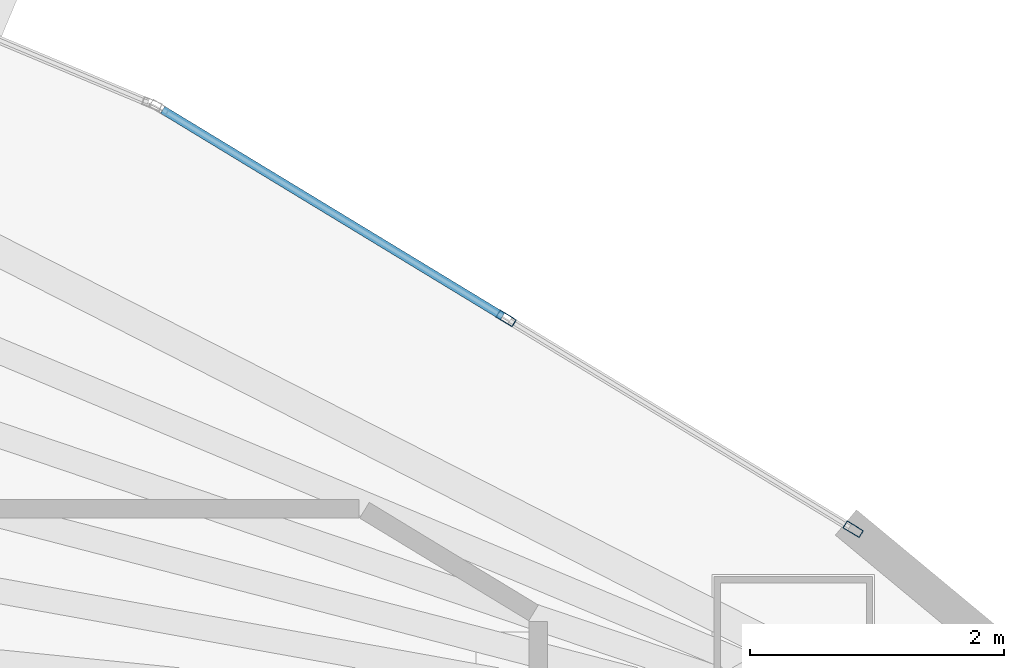
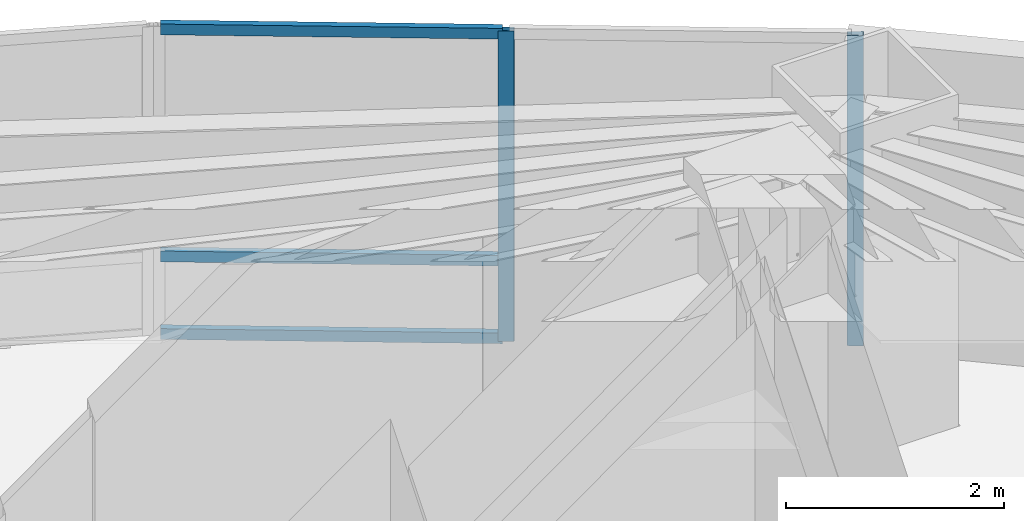
# One storey, part 13 of 19: 5 members, 1 element without a shape of its own.
"""IFC4 building model written with IfcOpenShell, lengths in metres."""

import ifcopenshell
import ifcopenshell.guid

model = None  # the IFC model being written
_history = None  # IfcOwnerHistory: only IFC2X3 demands one
_inside = {}  # id of a spatial element -> (the spatial element, [elements in it])
_under = {}  # id of a project, library or spatial element -> (it, [spatial elements below it])
_declared = {}  # id of a project -> (the project, [libraries it declares])
_typed = {}  # id of a type object -> (the type object, [elements of that type])
_made_of = {}  # id of a material, layer set ... -> (it, [elements and type objects made of it])


def new_model(schema):
    """Start an empty IFC model of exactly this schema.

    Asked for "IFC4X3", IfcOpenShell would pick the latest addendum, in which some entities
    have other attributes; the version numbers below select the first issue.
    IFC2X3 requires an IfcOwnerHistory on every rooted entity: one is made here for all.
    """
    global model, _history
    if schema == "IFC4X3":
        model = ifcopenshell.file(schema_version=(4, 3, 0, 0))
    else:
        model = ifcopenshell.file(schema=schema)
    _inside.clear()
    _under.clear()
    _declared.clear()
    _typed.clear()
    _made_of.clear()
    _history = None
    if model.schema == "IFC2X3":
        org = make("IfcOrganization", Name="unknown")
        user = make(
            "IfcPersonAndOrganization",
            ThePerson=make("IfcPerson", FamilyName="unknown"),
            TheOrganization=org,
        )
        app = make(
            "IfcApplication",
            ApplicationDeveloper=org,
            Version="unknown",
            ApplicationFullName="unknown",
            ApplicationIdentifier="unknown",
        )
        _history = make(
            "IfcOwnerHistory",
            OwningUser=user,
            OwningApplication=app,
            ChangeAction="ADDED",
            CreationDate=0,
        )
    return model


def make(cls, **values):
    """One entity of the class cls with the attributes given. An attribute that is None is left unset."""
    return model.create_entity(
        cls, **{name: value for name, value in values.items() if value is not None}
    )


def rooted(cls, **values):
    """An entity with a GlobalId (a new one), such as an element, a storey or a relation."""
    return make(cls, GlobalId=ifcopenshell.guid.new(), OwnerHistory=_history, **values)


def si_unit(unit_type, name, prefix=None):
    """IfcSIUnit, for example si_unit("LENGTHUNIT", "METRE", prefix="MILLI")."""
    return make("IfcSIUnit", UnitType=unit_type, Prefix=prefix, Name=name)


def assignment(units):
    """IfcUnitAssignment: the units of a project."""
    return None if units is None else make("IfcUnitAssignment", Units=units)


def point(xyz):
    """IfcCartesianPoint."""
    return None if xyz is None else make("IfcCartesianPoint", Coordinates=xyz)


def direction(xyz):
    """IfcDirection."""
    return None if xyz is None else make("IfcDirection", DirectionRatios=xyz)


def frame(location, z_axis=None, x_axis=None):
    """IfcAxis2Placement3D, a coordinate frame: its origin and axes. An axis left out is left unset."""
    return make(
        "IfcAxis2Placement3D",
        Location=point(location),
        Axis=direction(z_axis),
        RefDirection=direction(x_axis),
    )


def frame_2d(location, x_axis=None):
    """IfcAxis2Placement2D, a coordinate frame in the plane: its origin and x axis."""
    return make(
        "IfcAxis2Placement2D", Location=point(location), RefDirection=direction(x_axis)
    )


def origin():
    """The frame at (0, 0, 0) with its axes left unset."""
    return frame((0.0, 0.0, 0.0))


def origin_2d():
    """The frame at (0, 0) in the plane with its x axis left unset."""
    return frame_2d((0.0, 0.0))


def place(relative_to, where):
    """IfcLocalPlacement: puts the frame where relative to a parent placement (None: the world)."""
    return make(
        "IfcLocalPlacement", PlacementRelTo=relative_to, RelativePlacement=where
    )


def context(
    kind, dimensions, precision=None, world=None, true_north=None, identifier=None
):
    """IfcGeometricRepresentationContext, for example the 3D "Model" context."""
    return make(
        "IfcGeometricRepresentationContext",
        ContextIdentifier=identifier,
        ContextType=kind,
        CoordinateSpaceDimension=dimensions,
        Precision=precision,
        WorldCoordinateSystem=world,
        TrueNorth=true_north,
    )


def subcontext(parent, identifier, kind, view, scale=None):
    """IfcGeometricRepresentationSubContext, for example "Body" below "Model"."""
    return make(
        "IfcGeometricRepresentationSubContext",
        ContextIdentifier=identifier,
        ContextType=kind,
        ParentContext=parent,
        TargetScale=scale,
        TargetView=view,
    )


def project(units=None, contexts=None):
    """IfcProject with its units and contexts."""
    return rooted(
        "IfcProject",
        Name="project",
        RepresentationContexts=contexts,
        UnitsInContext=assignment(units),
    )


def spatial(cls, under=None, at=None, **own):
    """A site, building, storey or space (cls), placed at a placement, below another one or the project."""
    s = rooted(cls, ObjectPlacement=at, **own)
    if under is not None:
        _under.setdefault(under.id(), (under, []))[1].append(s)
    return s


def profile(cls, at=None, kind="AREA", **sizes):
    """A parametric profile (cls). Its sizes go by their IFC names, for example OverallWidth=200.0."""
    return make(cls, ProfileType=kind, Position=at, **sizes)


def hollow_rectangle(**sizes):
    """IfcRectangleHollowProfileDef."""
    return profile("IfcRectangleHollowProfileDef", **sizes)


def extrude(swept, where, along, depth):
    """IfcExtrudedAreaSolid: the profile swept, set in the frame where, extruded along a direction by depth."""
    return make(
        "IfcExtrudedAreaSolid",
        SweptArea=swept,
        Position=where,
        ExtrudedDirection=direction(along),
        Depth=depth,
    )


def shape(context_of_items, identifier, shape_type, items):
    """IfcShapeRepresentation: the items that make up one representation, for example the "Body"."""
    return make(
        "IfcShapeRepresentation",
        ContextOfItems=context_of_items,
        RepresentationIdentifier=identifier,
        RepresentationType=shape_type,
        Items=items,
    )


def material(Name=None, Category=None):
    """IfcMaterial."""
    return make("IfcMaterial", Name=Name, Category=Category)


def layer(
    of_material, thickness, ventilated=None, Name=None, Category=None, Priority=None
):
    """IfcMaterialLayer: one layer of a wall or slab, of a material (None: an air gap)."""
    return make(
        "IfcMaterialLayer",
        Material=of_material,
        LayerThickness=thickness,
        IsVentilated=ventilated,
        Name=Name,
        Category=Category,
        Priority=Priority,
    )


def layer_set(layers, Name=None):
    """IfcMaterialLayerSet."""
    return make("IfcMaterialLayerSet", MaterialLayers=layers, LayerSetName=Name)


def material_profile(
    of_material, cross_section, Name=None, Category=None, Priority=None
):
    """IfcMaterialProfile: a cross section and its material."""
    return make(
        "IfcMaterialProfile",
        Name=Name,
        Material=of_material,
        Profile=cross_section,
        Priority=Priority,
        Category=Category,
    )


def profile_set(profiles, Name=None, composite=None):
    """IfcMaterialProfileSet."""
    return make(
        "IfcMaterialProfileSet",
        Name=Name,
        MaterialProfiles=profiles,
        CompositeProfile=composite,
    )


def made_of(thing, what):
    """Note that an element or type object is made of a material, layer set ...; save() writes the relation."""
    if what is not None:
        _made_of.setdefault(what.id(), (what, []))[1].append(thing)
    return thing


def type_object(cls, material=None, **own):
    """A type object (cls), such as IfcWallType, which elements share."""
    return made_of(rooted(cls, **own), material)


def element(
    cls,
    number,
    at=None,
    inside=None,
    cuts=None,
    type_object=None,
    material=None,
    context=None,
    identifier="Body",
    shape_type=None,
    held_by="IfcProductDefinitionShape",
    body=None,
    shapes=None,
    **own,
):
    """One element of the class cls, such as IfcWall. Its Tag is "e" and its number.

    at: its placement. inside: the storey or other place that contains it. cuts: it is an
    opening in that element (IfcRelVoidsElement). A single representation is given by context,
    identifier, shape_type and body (its items); several are given by shapes. held_by: the class
    of the entity that holds the representations. save() writes the other relations.
    """
    e = rooted(cls, Tag="e%d" % number, ObjectPlacement=at, **own)
    if body is not None:
        shapes = [shape(context, identifier, shape_type, body)]
    if shapes is not None:
        e.Representation = make(held_by, Representations=shapes)
    if inside is not None:
        _inside.setdefault(inside.id(), (inside, []))[1].append(e)
    if cuts is not None:
        rooted(
            "IfcRelVoidsElement", RelatingBuildingElement=cuts, RelatedOpeningElement=e
        )
    if type_object is not None:
        _typed.setdefault(type_object.id(), (type_object, []))[1].append(e)
    return made_of(e, material)


def aggregate(whole, parts):
    """IfcRelAggregates: a whole, such as a stair, and the parts it consists of."""
    return rooted("IfcRelAggregates", RelatingObject=whole, RelatedObjects=parts)


def save(model, path):
    """Write the relations noted so far, then the file.

    IfcRelAggregates (storeys below a building ...), IfcRelContainedInSpatialStructure (elements
    in a storey), IfcRelDefinesByType, IfcRelAssociatesMaterial and IfcRelDeclares: one each for
    every whole, place, type object, material and project.
    """
    for whole, parts in _under.values():
        aggregate(whole, parts)
    for where, things in _inside.values():
        rooted(
            "IfcRelContainedInSpatialStructure",
            RelatedElements=things,
            RelatingStructure=where,
        )
    for kind, things in _typed.values():
        rooted("IfcRelDefinesByType", RelatedObjects=things, RelatingType=kind)
    for what, things in _made_of.values():
        rooted("IfcRelAssociatesMaterial", RelatedObjects=things, RelatingMaterial=what)
    for by, libraries in _declared.values():
        rooted("IfcRelDeclares", RelatingContext=by, RelatedDefinitions=libraries)
    model.write(path)


model = new_model("IFC4")

# Units and contexts
model_context = context("Model", 3, precision=1e-05, world=origin(), true_north=direction((0.0, 1.0)))
body_context = subcontext(model_context, "Body", "Model", "MODEL_VIEW")
ifc_project = project(units=[si_unit("LENGTHUNIT", "METRE"), si_unit("AREAUNIT", "SQUARE_METRE"), si_unit("VOLUMEUNIT", "CUBIC_METRE"), si_unit("PLANEANGLEUNIT", "RADIAN"), si_unit("MASSUNIT", "GRAM", prefix="KILO")], contexts=[model_context])

# Site, building, storey
site_placement = place(None, origin())
site = spatial("IfcSite", under=ifc_project, at=site_placement, CompositionType="ELEMENT")
building_placement = place(site_placement, origin())
building = spatial("IfcBuilding", under=site, at=building_placement, Name="Menara Vayukalpa", CompositionType="ELEMENT")
storey_placement = place(building_placement, frame((0.0, 0.0, 118.860107421875)))
storey = spatial("IfcBuildingStorey", under=building, at=storey_placement, Name="L29", CompositionType="ELEMENT", Elevation=118.860107421875)

# Curtain wall, members
ifc_material_1 = material(Name="Anodised Terracotta Aluminium Alloy 6063-T6", Category="masonry")
ifc_layer = layer(ifc_material_1, 0.14990234375)
ifc_layer_set = layer_set([ifc_layer], Name="Anodised Terracotta Aluminium Alloy 6063-T6")
curtain_wall_type = type_object("IfcCurtainWallType", Name="CW-CW3", PredefinedType="USERDEFINED", material=ifc_layer_set)
curtain_wall_placement = place(storey_placement, origin())
curtain_wall = element("IfcCurtainWall", 1, at=curtain_wall_placement, inside=storey, type_object=curtain_wall_type, Name="L29 Mid Rise Terracotta Ribbon Curtain Wall CW3 04", ObjectType="UNITISED", PredefinedType="USERDEFINED")
ifc_material_2 = material(Name="Anodised Terracotta Aluminium Alloy 6063-T6", Category="masonry")
ifc_material_profile_1 = material_profile(ifc_material_2, hollow_rectangle(XDim=0.06494140625, YDim=0.14990234375, WallThickness=0.00341796875, at=origin_2d()), Name="ALU 65x150x3.5")
ifc_profile_set_1 = profile_set([ifc_material_profile_1], Name="Anodised Terracotta Aluminium Alloy 6063-T6")
member_type_1 = type_object("IfcMemberType", Name="CWM-CW3", PredefinedType="MULLION", material=ifc_profile_set_1)
member_1_placement = place(storey_placement, frame((35.358154296875, 28.61865234375, 0.0), z_axis=(0.0, 0.0, 1.0), x_axis=(-0.519182959112, -0.854663123674, 0.0)))
member_1 = element("IfcMember", 2, at=member_1_placement, type_object=member_type_1, Name="CW3 mullion 1", PredefinedType="MULLION", context=body_context, shape_type="SweptSolid", body=[
    extrude(hollow_rectangle(XDim=0.06494140625, YDim=0.14990234375, WallThickness=0.00341796875, at=origin_2d()), origin(), (0.0, 0.0, 1.0), 3.469970703125),
])
member_2_placement = place(storey_placement, frame((32.6259765625, 30.278564453125, 0.0), z_axis=(0.0, 0.0, 1.0), x_axis=(-0.519182959112, -0.854663123674, 0.0)))
member_2 = element("IfcMember", 3, at=member_2_placement, type_object=member_type_1, Name="CW3 mullion 2", PredefinedType="MULLION", context=body_context, shape_type="SweptSolid", body=[
    extrude(hollow_rectangle(XDim=0.06494140625, YDim=0.14990234375, WallThickness=0.00341796875, at=origin_2d()), origin(), (0.0, 0.0, 1.0), 3.469970703125),
])
ifc_material_3 = material(Name="Anodised Terracotta Aluminium Alloy 6063-T6", Category="masonry")
ifc_material_profile_2 = material_profile(ifc_material_3, hollow_rectangle(XDim=0.06494140625, YDim=0.1201171875, WallThickness=0.00341796875, at=origin_2d()), Name="ALU 65x120x3.5")
ifc_profile_set_2 = profile_set([ifc_material_profile_2], Name="Anodised Terracotta Aluminium Alloy 6063-T6")
member_type_2 = type_object("IfcMemberType", Name="CWT-CW3", PredefinedType="USERDEFINED", material=ifc_profile_set_2)
member_3_placement = place(storey_placement, frame((32.59814453125, 30.29541015625, 0.032470703125), z_axis=(-0.854673871166, 0.519165266506, 0.0), x_axis=(-0.519165266506, -0.854673871166, 0.0)))
member_3 = element("IfcMember", 4, at=member_3_placement, type_object=member_type_2, Name="CW3 transom 2.1", ObjectType="TRANSOM", PredefinedType="USERDEFINED", context=body_context, shape_type="SweptSolid", body=[
    extrude(hollow_rectangle(XDim=0.06494140625, YDim=0.1201171875, WallThickness=0.00341796875, at=origin_2d()), origin(), (0.0, 0.0, 1.0), 3.1318359375),
])
member_4_placement = place(storey_placement, frame((32.59814453125, 30.29541015625, 0.89990234375), z_axis=(-0.854673871166, 0.519165266506, 0.0), x_axis=(-0.519165266506, -0.854673871166, 0.0)))
member_4 = element("IfcMember", 5, at=member_4_placement, type_object=member_type_2, Name="CW3 transom 2.2", ObjectType="TRANSOM", PredefinedType="USERDEFINED", context=body_context, shape_type="SweptSolid", body=[
    extrude(hollow_rectangle(XDim=0.06494140625, YDim=0.1201171875, WallThickness=0.00341796875, at=origin_2d()), origin(), (0.0, 0.0, 1.0), 3.1318359375),
])
member_5_placement = place(storey_placement, frame((32.59814453125, 30.29541015625, 3.4375), z_axis=(-0.854673871166, 0.519165266506, 0.0), x_axis=(-0.519165266506, -0.854673871166, 0.0)))
member_5 = element("IfcMember", 6, at=member_5_placement, type_object=member_type_2, Name="CW3 transom 2.3", ObjectType="TRANSOM", PredefinedType="USERDEFINED", context=body_context, shape_type="SweptSolid", body=[
    extrude(hollow_rectangle(XDim=0.06494140625, YDim=0.1201171875, WallThickness=0.00341796875, at=origin_2d()), origin(), (0.0, 0.0, 1.0), 3.1318359375),
])
aggregate(curtain_wall, [member_1, member_2, member_3, member_4, member_5])

save(model, "model.ifc")
